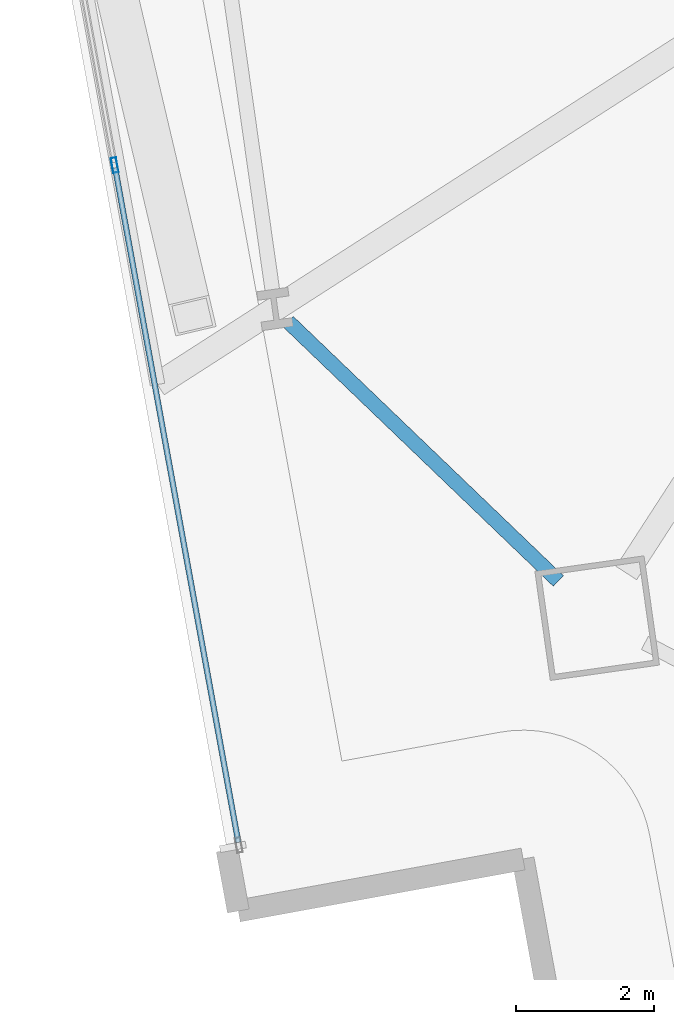
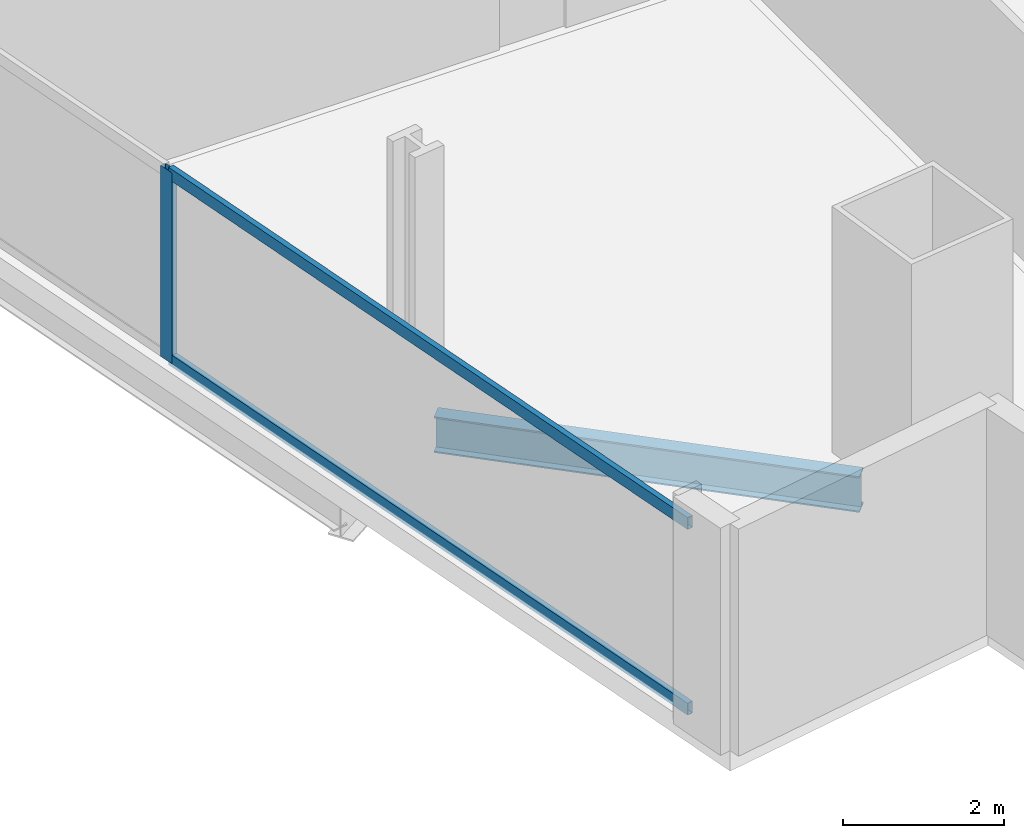
# One storey, part 3 of 34: 3 members, 1 beam, 1 element without a shape of its own.
"""IFC4 building model written with IfcOpenShell, lengths in metres."""

from ifc_helpers import new_model, si_unit, direction, frame, origin, origin_2d, place, context, subcontext, project, spatial, hollow_rectangle, i_section, extrude, material, material_profile, profile_set, type_object, element, aggregate, save


model = new_model("IFC4")

# Units and contexts
model_context = context("Model", 3, precision=1e-05, world=origin(), true_north=direction((0.0, 1.0)))
body_context = subcontext(model_context, "Body", "Model", "MODEL_VIEW")
ifc_project = project(units=[si_unit("LENGTHUNIT", "METRE"), si_unit("AREAUNIT", "SQUARE_METRE"), si_unit("VOLUMEUNIT", "CUBIC_METRE"), si_unit("PLANEANGLEUNIT", "RADIAN"), si_unit("MASSUNIT", "GRAM", prefix="KILO")], contexts=[model_context])

# Site, building, storey
site_placement = place(None, origin())
site = spatial("IfcSite", under=ifc_project, at=site_placement, CompositionType="ELEMENT")
building_placement = place(site_placement, origin())
building = spatial("IfcBuilding", under=site, at=building_placement, Name="Haldenkirk Collegiate Tower", CompositionType="ELEMENT")
storey_placement = place(building_placement, frame((0.0, 0.0, 62.699951171875)))
storey = spatial("IfcBuildingStorey", under=building, at=storey_placement, Name="L14", CompositionType="ELEMENT", Elevation=62.699951171875)

# Beam
ifc_material_1 = material(Name="Steel ASTM A992 Grade 50", Category="steel")
ifc_material_profile_1 = material_profile(ifc_material_1, i_section(OverallWidth=0.2119140625, OverallDepth=0.5439453125, WebThickness=0.01318359375, FlangeThickness=0.021240234375, at=origin_2d()), Name="W21X83")
ifc_profile_set_1 = profile_set([ifc_material_profile_1], Name="Steel ASTM A992 Grade 50")
beam_type = type_object("IfcBeamType", Name="BM-SPANDREL-W21X83", PredefinedType="SPANDREL", material=ifc_profile_set_1)
beam_placement = place(storey_placement, frame((14.212890625, 9.47412109375, -0.58203125), z_axis=(0.721492362326, -0.692422393561, 0.0), x_axis=(0.692422393561, 0.721492362326, 0.0)))
element("IfcBeam", 1, at=beam_placement, inside=storey, type_object=beam_type, Name="L14 perimeter spandrel beam 16", PredefinedType="SPANDREL", context=body_context, shape_type="SweptSolid", body=[
    extrude(i_section(OverallWidth=0.2119140625, OverallDepth=0.5439453125, WebThickness=0.01318359375, FlangeThickness=0.021240234375, at=origin_2d()), origin(), (0.0, 0.0, 1.0), 5.433837890625),
])

# Curtain wall, members
ifc_material_2 = material(Name="Anodised architectural bronze aluminium", Category="aluminium")
curtain_wall_type = type_object("IfcCurtainWallType", Name="CW-SYS1-CONVEX-LOW", PredefinedType="USERDEFINED", material=ifc_material_2)
curtain_wall_placement = place(storey_placement, origin())
curtain_wall = element("IfcCurtainWall", 2, at=curtain_wall_placement, inside=storey, type_object=curtain_wall_type, Name="L14 Lower tower convex bronze-framed unitised curtain wall", ObjectType="UNITISED CURTAIN WALL", PredefinedType="USERDEFINED")
ifc_material_profile_2 = material_profile(ifc_material_2, hollow_rectangle(XDim=0.080078125, YDim=0.219970703125, WallThickness=0.0048828125, at=origin_2d()), Name="CW-MUL-1A")
ifc_profile_set_2 = profile_set([ifc_material_profile_2], Name="Anodised architectural bronze aluminium")
member_type_1 = type_object("IfcMemberType", Name="CW-MUL-1A", PredefinedType="MULLION", material=ifc_profile_set_2)
member_1_placement = place(storey_placement, frame((11.695556640625, 11.7451171875, 0.0), z_axis=(0.0, 0.0, 1.0), x_axis=(-0.983728733251, -0.179660177491, 0.0)))
member_1 = element("IfcMember", 3, at=member_1_placement, type_object=member_type_1, Name="CW-1A mullion 2", PredefinedType="MULLION", context=body_context, shape_type="SweptSolid", body=[
    extrude(hollow_rectangle(XDim=0.080078125, YDim=0.219970703125, WallThickness=0.0048828125, at=origin_2d()), origin(), (0.0, 0.0, 1.0), 2.89111328125),
])
ifc_material_profile_3 = material_profile(ifc_material_2, hollow_rectangle(XDim=0.080078125, YDim=0.179931640625, WallThickness=0.0048828125, at=origin_2d()), Name="CW-TRN-1A")
ifc_profile_set_3 = profile_set([ifc_material_profile_3], Name="Anodised architectural bronze aluminium")
member_type_2 = type_object("IfcMemberType", Name="CW-TRN-1A", PredefinedType="USERDEFINED", material=ifc_profile_set_3)
member_2_placement = place(storey_placement, frame((13.490234375, 1.9189453125, 0.0400390625), z_axis=(-0.179680075224, 0.983725099084, 0.0), x_axis=(-0.983725099084, -0.179680075224, 0.0)))
member_2 = element("IfcMember", 4, at=member_2_placement, type_object=member_type_2, Name="CW-1A transom 1.1", ObjectType="TRANSOM", PredefinedType="USERDEFINED", context=body_context, shape_type="SweptSolid", body=[
    extrude(hollow_rectangle(XDim=0.080078125, YDim=0.179931640625, WallThickness=0.0048828125, at=origin_2d()), origin(), (0.0, 0.0, 1.0), 9.94873046875),
])
member_3_placement = place(storey_placement, frame((13.490234375, 1.9189453125, 2.85107421875), z_axis=(-0.179680075224, 0.983725099084, 0.0), x_axis=(-0.983725099084, -0.179680075224, 0.0)))
member_3 = element("IfcMember", 5, at=member_3_placement, type_object=member_type_2, Name="CW-1A transom 1.2", ObjectType="TRANSOM", PredefinedType="USERDEFINED", context=body_context, shape_type="SweptSolid", body=[
    extrude(hollow_rectangle(XDim=0.080078125, YDim=0.179931640625, WallThickness=0.0048828125, at=origin_2d()), origin(), (0.0, 0.0, 1.0), 9.94873046875),
])
aggregate(curtain_wall, [member_1, member_2, member_3])

save(model, "model.ifc")
